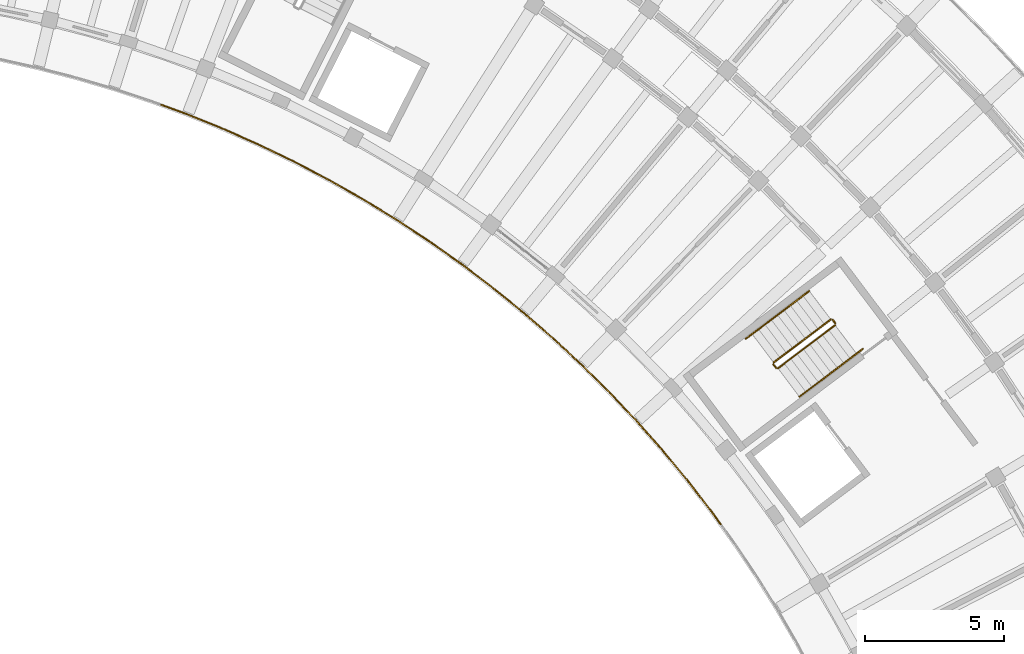
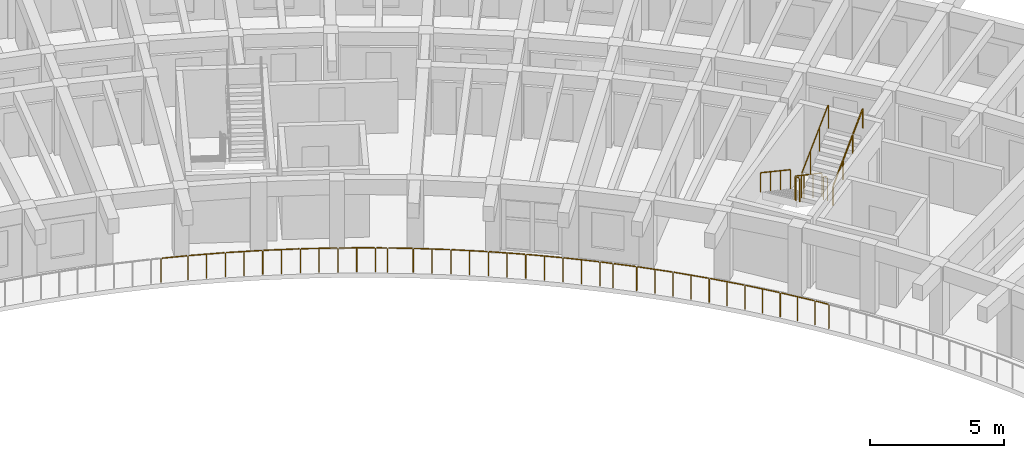
# One storey, part 78 of 81: 13 railings.
"""IFC4 building model written with IfcOpenShell, lengths in metres."""

from ifc_helpers import new_model, si_unit, direction, frame, origin, origin_2d, place, context, subcontext, project, spatial, circle, extrude, material, type_object, element, save


model = new_model("IFC4")

# Units and contexts
model_context = context("Model", 3, precision=1e-05, world=origin(), true_north=direction((0.0, 1.0)))
body_context = subcontext(model_context, "Body", "Model", "MODEL_VIEW")
ifc_project = project(units=[si_unit("LENGTHUNIT", "METRE"), si_unit("AREAUNIT", "SQUARE_METRE"), si_unit("VOLUMEUNIT", "CUBIC_METRE"), si_unit("PLANEANGLEUNIT", "RADIAN"), si_unit("MASSUNIT", "GRAM", prefix="KILO")], contexts=[model_context])

# Site, building, storey
site_placement = place(None, origin())
site = spatial("IfcSite", under=ifc_project, at=site_placement, CompositionType="ELEMENT")
building_placement = place(site_placement, origin())
building = spatial("IfcBuilding", under=site, at=building_placement, Name="Tanwirah Colonnade Gardens", CompositionType="ELEMENT")
storey_placement = place(building_placement, frame((0.0, 0.0, 8.840087890625)))
storey = spatial("IfcBuildingStorey", under=building, at=storey_placement, Name="L02", CompositionType="ELEMENT", Elevation=8.840087890625)

# Railings
ifc_material_1 = material(Name="Precast concrete C40/50", Category="concrete")
railing_type_1 = type_object("IfcRailingType", Name="BAL-EXT112", PredefinedType="BALUSTRADE", material=ifc_material_1)
railing_1_placement = place(storey_placement, frame((155.51513671875, 85.296142578125, 0.0)))
element("IfcRailing", 1, at=railing_1_placement, inside=storey, type_object=railing_type_1, Name="Block B L02 Balcony Ribbon Balustrade 3", PredefinedType="BALUSTRADE", context=body_context, shape_type="SweptSolid", body=[
    extrude(circle(Radius=0.02392578125, at=origin_2d()), frame((-0.018310546875, 0.025390625, 1.09619140625), z_axis=(-0.585664903779, 0.810553280471, 0.0), x_axis=(-0.810553280471, -0.585664903779, 0.0)), (0.0, 0.0, 1.0), 0.499755859375),
    extrude(circle(Radius=0.02392578125, at=origin_2d()), frame((-0.349853515625, 0.482666015625, 1.09619140625), z_axis=(-0.611783903817, 0.791024939576, 0.0), x_axis=(-0.791024939576, -0.611783903817, 0.0)), (0.0, 0.0, 1.0), 1.341796875),
    extrude(circle(Radius=0.02392578125, at=origin_2d()), frame((-1.211669921875, 1.594970703125, 1.09619140625), z_axis=(-0.637581943595, 0.770382544715, 0.0), x_axis=(-0.770382544715, -0.637581943595, 0.0)), (0.0, 0.0, 1.0), 1.342041015625),
    extrude(circle(Radius=0.02392578125, at=origin_2d()), frame((-2.109619140625, 2.67822265625, 1.09619140625), z_axis=(-0.662581384852, 0.748989925464, 0.0), x_axis=(-0.748989925464, -0.662581384852, 0.0)), (0.0, 0.0, 1.0), 1.341796875),
    extrude(circle(Radius=0.02392578125, at=origin_2d()), frame((-3.04248046875, 3.731201171875, 1.09619140625), z_axis=(-0.687011382404, 0.726646654466, 0.0), x_axis=(-0.726646654466, -0.687011382404, 0.0)), (0.0, 0.0, 1.0), 1.341796875),
    extrude(circle(Radius=0.02392578125, at=origin_2d()), frame((-4.009765625, 4.7529296875, 1.09619140625), z_axis=(-0.710488556831, 0.703708754111, 0.0), x_axis=(-0.703708754111, -0.710488556831, 0.0)), (0.0, 0.0, 1.0), 1.341796875),
    extrude(circle(Radius=0.02392578125, at=origin_2d()), frame((-5.01025390625, 5.7421875, 1.09619140625), z_axis=(-0.733450086442, 0.67974331236, 0.0), x_axis=(-0.67974331236, -0.733450086442, 0.0)), (0.0, 0.0, 1.0), 0.837646484375),
    extrude(circle(Radius=0.02099609375, at=origin_2d()), origin(), (0.0, 0.0, 1.0), 1.069091796875),
    extrude(circle(Radius=0.02099609375, at=origin_2d()), frame((-0.329345703125, 0.455810546875, 0.0)), (0.0, 0.0, 1.0), 1.069091796875),
    extrude(circle(Radius=0.02099609375, at=origin_2d()), frame((-0.76025390625, 1.013427734375, 0.0)), (0.0, 0.0, 1.0), 1.069091796875),
    extrude(circle(Radius=0.02099609375, at=origin_2d()), frame((-1.18994140625, 1.56884765625, 0.0)), (0.0, 0.0, 1.0), 1.069091796875),
    extrude(circle(Radius=0.02099609375, at=origin_2d()), frame((-1.639404296875, 2.11181640625, 0.0)), (0.0, 0.0, 1.0), 1.069091796875),
    extrude(circle(Radius=0.02099609375, at=origin_2d()), frame((-2.087158203125, 2.65283203125, 0.0)), (0.0, 0.0, 1.0), 1.069091796875),
    extrude(circle(Radius=0.02099609375, at=origin_2d()), frame((-2.55419921875, 3.1806640625, 0.0)), (0.0, 0.0, 1.0), 1.069091796875),
    extrude(circle(Radius=0.02099609375, at=origin_2d()), frame((-3.019287109375, 3.70654296875, 0.0)), (0.0, 0.0, 1.0), 1.069091796875),
    extrude(circle(Radius=0.02099609375, at=origin_2d()), frame((-3.50341796875, 4.21875, 0.0)), (0.0, 0.0, 1.0), 1.069091796875),
    extrude(circle(Radius=0.02099609375, at=origin_2d()), frame((-3.98583984375, 4.72900390625, 0.0)), (0.0, 0.0, 1.0), 1.069091796875),
    extrude(circle(Radius=0.02099609375, at=origin_2d()), frame((-4.486328125, 5.22509765625, 0.0)), (0.0, 0.0, 1.0), 1.069091796875),
    extrude(circle(Radius=0.02099609375, at=origin_2d()), frame((-4.9853515625, 5.71923828125, 0.0)), (0.0, 0.0, 1.0), 1.069091796875),
    extrude(circle(Radius=0.02099609375, at=origin_2d()), frame((-5.6474609375, 6.332763671875, 0.0)), (0.0, 0.0, 1.0), 1.069091796875),
])
railing_2_placement = place(storey_placement, frame((149.86767578125, 91.62890625, 0.0)))
element("IfcRailing", 2, at=railing_2_placement, inside=storey, type_object=railing_type_1, Name="Block B L02 Balcony Ribbon Balustrade 4", PredefinedType="BALUSTRADE", context=body_context, shape_type="SweptSolid", body=[
    extrude(circle(Radius=0.02392578125, at=origin_2d()), frame((-0.02294921875, 0.021240234375, 1.09619140625), z_axis=(-0.733224282582, 0.679986875926, 0.0), x_axis=(-0.679986875926, -0.733224282582, 0.0)), (0.0, 0.0, 1.0), 0.44189453125),
    extrude(circle(Radius=0.02392578125, at=origin_2d()), frame((-0.3955078125, 0.365234375, 1.09619140625), z_axis=(-0.755402192857, 0.655261418845, 0.0), x_axis=(-0.655261418845, -0.755402192857, 0.0)), (0.0, 0.0, 1.0), 1.341796875),
    extrude(circle(Radius=0.02392578125, at=origin_2d()), frame((-1.458740234375, 1.286376953125, 1.09619140625), z_axis=(-0.776491375378, 0.630127879056, 0.0), x_axis=(-0.630127879056, -0.776491375378, 0.0)), (0.0, 0.0, 1.0), 1.342041015625),
    extrude(circle(Radius=0.02392578125, at=origin_2d()), frame((-2.552001953125, 2.171875, 1.09619140625), z_axis=(-0.796818244666, 0.604219070344, 0.0), x_axis=(-0.604219070344, -0.796818244666, 0.0)), (0.0, 0.0, 1.0), 1.342041015625),
    extrude(circle(Radius=0.02392578125, at=origin_2d()), frame((-3.674072265625, 3.021240234375, 1.09619140625), z_axis=(-0.816321661452, 0.577597563226, 0.0), x_axis=(-0.577597563226, -0.816321661452, 0.0)), (0.0, 0.0, 1.0), 1.341552734375),
    extrude(circle(Radius=0.02392578125, at=origin_2d()), frame((-4.822998046875, 3.832763671875, 1.09619140625), z_axis=(-0.834927342507, 0.550360184547, 0.0), x_axis=(-0.550360184547, -0.834927342507, 0.0)), (0.0, 0.0, 1.0), 1.341796875),
    extrude(circle(Radius=0.02392578125, at=origin_2d()), frame((-5.998291015625, 4.606201171875, 1.09619140625), z_axis=(-0.852645184943, 0.522490371771, 0.0), x_axis=(-0.522490371771, -0.852645184943, 0.0)), (0.0, 0.0, 1.0), 0.895751953125),
    extrude(circle(Radius=0.02099609375, at=origin_2d()), origin(), (0.0, 0.0, 1.0), 1.069091796875),
    extrude(circle(Radius=0.02099609375, at=origin_2d()), frame((-0.369873046875, 0.343017578125, 0.0)), (0.0, 0.0, 1.0), 1.069091796875),
    extrude(circle(Radius=0.02099609375, at=origin_2d()), frame((-0.90234375, 0.8046875, 0.0)), (0.0, 0.0, 1.0), 1.069091796875),
    extrude(circle(Radius=0.02099609375, at=origin_2d()), frame((-1.4326171875, 1.264892578125, 0.0)), (0.0, 0.0, 1.0), 1.069091796875),
    extrude(circle(Radius=0.02099609375, at=origin_2d()), frame((-1.97998046875, 1.708984375, 0.0)), (0.0, 0.0, 1.0), 1.069091796875),
    extrude(circle(Radius=0.02099609375, at=origin_2d()), frame((-2.525146484375, 2.151611328125, 0.0)), (0.0, 0.0, 1.0), 1.069091796875),
    extrude(circle(Radius=0.02099609375, at=origin_2d()), frame((-3.086669921875, 2.577392578125, 0.0)), (0.0, 0.0, 1.0), 1.069091796875),
    extrude(circle(Radius=0.02099609375, at=origin_2d()), frame((-3.646240234375, 3.001708984375, 0.0)), (0.0, 0.0, 1.0), 1.069091796875),
    extrude(circle(Radius=0.02099609375, at=origin_2d()), frame((-4.2216796875, 3.40869140625, 0.0)), (0.0, 0.0, 1.0), 1.069091796875),
    extrude(circle(Radius=0.02099609375, at=origin_2d()), frame((-4.794677734375, 3.814208984375, 0.0)), (0.0, 0.0, 1.0), 1.069091796875),
    extrude(circle(Radius=0.02099609375, at=origin_2d()), frame((-5.38330078125, 4.2021484375, 0.0)), (0.0, 0.0, 1.0), 1.069091796875),
    extrude(circle(Radius=0.02099609375, at=origin_2d()), frame((-5.969482421875, 4.588623046875, 0.0)), (0.0, 0.0, 1.0), 1.069091796875),
    extrude(circle(Radius=0.02099609375, at=origin_2d()), frame((-6.788818359375, 5.090576171875, 0.0)), (0.0, 0.0, 1.0), 1.069091796875),
])
railing_3_placement = place(storey_placement, frame((143.078857421875, 96.719482421875, 0.0)))
element("IfcRailing", 3, at=railing_3_placement, inside=storey, type_object=railing_type_1, Name="Block B L02 Balcony Ribbon Balustrade 5", PredefinedType="BALUSTRADE", context=body_context, shape_type="SweptSolid", body=[
    extrude(circle(Radius=0.02392578125, at=origin_2d()), frame((-0.026611328125, 0.016357421875, 1.09619140625), z_axis=(-0.85257765709, 0.522600553608, 0.0), x_axis=(-0.522600553608, -0.85257765709, 0.0)), (0.0, 0.0, 1.0), 0.383544921875),
    extrude(circle(Radius=0.02392578125, at=origin_2d()), frame((-0.40966796875, 0.249755859375, 1.09619140625), z_axis=(-0.869342839865, 0.494209496848, 0.0), x_axis=(-0.494209496848, -0.869342839865, 0.0)), (0.0, 0.0, 1.0), 1.342041015625),
    extrude(circle(Radius=0.02392578125, at=origin_2d()), frame((-1.633544921875, 0.9443359375, 1.09619140625), z_axis=(-0.885204649416, 0.465201814972, 0.0), x_axis=(-0.465201814972, -0.885204649416, 0.0)), (0.0, 0.0, 1.0), 1.341796875),
    extrude(circle(Radius=0.02392578125, at=origin_2d()), frame((-2.87939453125, 1.597900390625, 1.09619140625), z_axis=(-0.900124070825, 0.43563362717, 0.0), x_axis=(-0.43563362717, -0.900124070825, 0.0)), (0.0, 0.0, 1.0), 1.341796875),
    extrude(circle(Radius=0.02392578125, at=origin_2d()), frame((-4.146240234375, 2.2099609375, 1.09619140625), z_axis=(-0.913997826773, 0.40571908096, 0.0), x_axis=(-0.40571908096, -0.913997826773, 0.0)), (0.0, 0.0, 1.0), 1.342041015625),
    extrude(circle(Radius=0.02392578125, at=origin_2d()), frame((-5.4326171875, 2.77978515625, 1.09619140625), z_axis=(-0.92683738147, 0.375463005247, 0.0), x_axis=(-0.375463005247, -0.92683738147, 0.0)), (0.0, 0.0, 1.0), 1.342041015625),
    extrude(circle(Radius=0.02392578125, at=origin_2d()), frame((-6.737060546875, 3.30712890625, 1.09619140625), z_axis=(-0.938687215578, 0.344769939686, 0.0), x_axis=(-0.344769939686, -0.938687215578, 0.0)), (0.0, 0.0, 1.0), 0.95361328125),
    extrude(circle(Radius=0.02099609375, at=origin_2d()), origin(), (0.0, 0.0, 1.0), 1.069091796875),
    extrude(circle(Radius=0.02099609375, at=origin_2d()), frame((-0.38037109375, 0.233154296875, 0.0)), (0.0, 0.0, 1.0), 1.069091796875),
    extrude(circle(Radius=0.02099609375, at=origin_2d()), frame((-0.9931640625, 0.58154296875, 0.0)), (0.0, 0.0, 1.0), 1.069091796875),
    extrude(circle(Radius=0.02099609375, at=origin_2d()), frame((-1.603515625, 0.928466796875, 0.0)), (0.0, 0.0, 1.0), 1.069091796875),
    extrude(circle(Radius=0.02099609375, at=origin_2d()), frame((-2.2275390625, 1.25634765625, 0.0)), (0.0, 0.0, 1.0), 1.069091796875),
    extrude(circle(Radius=0.02099609375, at=origin_2d()), frame((-2.84912109375, 1.5830078125, 0.0)), (0.0, 0.0, 1.0), 1.069091796875),
    extrude(circle(Radius=0.02099609375, at=origin_2d()), frame((-3.4833984375, 1.89013671875, 0.0)), (0.0, 0.0, 1.0), 1.069091796875),
    extrude(circle(Radius=0.02099609375, at=origin_2d()), frame((-4.115478515625, 2.196044921875, 0.0)), (0.0, 0.0, 1.0), 1.069091796875),
    extrude(circle(Radius=0.02099609375, at=origin_2d()), frame((-4.759521484375, 2.482177734375, 0.0)), (0.0, 0.0, 1.0), 1.069091796875),
    extrude(circle(Radius=0.02099609375, at=origin_2d()), frame((-5.4013671875, 2.76708984375, 0.0)), (0.0, 0.0, 1.0), 1.069091796875),
    extrude(circle(Radius=0.02099609375, at=origin_2d()), frame((-6.054443359375, 3.03173828125, 0.0)), (0.0, 0.0, 1.0), 1.069091796875),
    extrude(circle(Radius=0.02099609375, at=origin_2d()), frame((-6.705322265625, 3.29541015625, 0.0)), (0.0, 0.0, 1.0), 1.069091796875),
    extrude(circle(Radius=0.02099609375, at=origin_2d()), frame((-7.66162109375, 3.646728515625, 0.0)), (0.0, 0.0, 1.0), 1.069091796875),
])
ifc_material_2 = material(Name="Powder-coated galvanized steel", Category="steel")
railing_type_2 = type_object("IfcRailingType", Name="GRD-ST110", PredefinedType="GUARDRAIL", material=ifc_material_2)
railing_4_placement = place(storey_placement, frame((159.46435546875, 92.6533203125, 0.16796875)))
element("IfcRailing", 4, at=railing_4_placement, inside=storey, type_object=railing_type_2, Name="L02 ST-B1 stair guard 1", PredefinedType="GUARDRAIL", context=body_context, shape_type="SweptSolid", body=[
    extrude(circle(Radius=0.02392578125, at=origin_2d()), frame((-0.021484375, -0.01611328125, 1.092041015625), z_axis=(-0.687998426946, -0.518417885, 0.507839601678), x_axis=(0.601795686627, -0.798650080797, 0.0)), (0.0, 0.0, 1.0), 2.914794921875),
    extrude(circle(Radius=0.02099609375, at=origin_2d()), origin(), (0.0, 0.0, 1.0), 1.049072265625),
    extrude(circle(Radius=0.02099609375, at=origin_2d()), frame((-0.682861328125, -0.514404296875, 0.50390625)), (0.0, 0.0, 1.0), 1.049072265625),
    extrude(circle(Radius=0.02099609375, at=origin_2d()), frame((-1.365478515625, -1.029052734375, 1.008056640625)), (0.0, 0.0, 1.0), 1.049072265625),
    extrude(circle(Radius=0.02099609375, at=origin_2d()), frame((-2.04833984375, -1.54345703125, 1.511962890625)), (0.0, 0.0, 1.0), 1.049072265625),
])
railing_5_placement = place(storey_placement, frame((157.406005859375, 91.039794921875, 1.679931640625)))
element("IfcRailing", 5, at=railing_5_placement, inside=storey, type_object=railing_type_2, Name="L02 ST-B1 stair guard 2", PredefinedType="GUARDRAIL", context=body_context, shape_type="SweptSolid", body=[
    extrude(circle(Radius=0.02392578125, at=origin_2d()), frame((0.018798828125, -0.02490234375, 1.076171875), z_axis=(0.601948835455, -0.798534657667, 0.0), x_axis=(0.798534657667, 0.601948835455, 0.0)), (0.0, 0.0, 1.0), 0.09765625),
    extrude(circle(Radius=0.02099609375, at=origin_2d()), origin(), (0.0, 0.0, 1.0), 1.049072265625),
    extrude(circle(Radius=0.02099609375, at=origin_2d()), frame((0.096435546875, -0.1279296875, 0.0)), (0.0, 0.0, 1.0), 1.049072265625),
])
railing_6_placement = place(storey_placement, frame((157.572265625, 90.902099609375, 1.847900390625)))
element("IfcRailing", 6, at=railing_6_placement, inside=storey, type_object=railing_type_2, Name="L02 ST-B1 stair guard 3", PredefinedType="GUARDRAIL", context=body_context, shape_type="SweptSolid", body=[
    extrude(circle(Radius=0.02392578125, at=origin_2d()), frame((0.021484375, 0.01611328125, 1.092041015625), z_axis=(0.688012363654, 0.518448596756, 0.507789365762), x_axis=(-0.601810650199, 0.798638805285, 0.0)), (0.0, 0.0, 1.0), 2.9150390625),
    extrude(circle(Radius=0.02099609375, at=origin_2d()), origin(), (0.0, 0.0, 1.0), 1.049072265625),
    extrude(circle(Radius=0.02099609375, at=origin_2d()), frame((0.682861328125, 0.5146484375, 0.50390625)), (0.0, 0.0, 1.0), 1.049072265625),
    extrude(circle(Radius=0.02099609375, at=origin_2d()), frame((1.36572265625, 1.029052734375, 1.008056640625)), (0.0, 0.0, 1.0), 1.049072265625),
    extrude(circle(Radius=0.02099609375, at=origin_2d()), frame((2.048583984375, 1.543701171875, 1.511962890625)), (0.0, 0.0, 1.0), 1.049072265625),
])
railing_7_placement = place(storey_placement, frame((159.534423828125, 92.6435546875, 0.0)))
element("IfcRailing", 7, at=railing_7_placement, inside=storey, type_object=railing_type_2, Name="L02 ST-B1 stair guard 4", PredefinedType="GUARDRAIL", context=body_context, shape_type="SweptSolid", body=[
    extrude(circle(Radius=0.02392578125, at=origin_2d()), frame((0.018798828125, -0.02490234375, 1.076171875), z_axis=(0.601709070646, -0.798715339969, 0.0), x_axis=(0.798715339969, 0.601709070646, 0.0)), (0.0, 0.0, 1.0), 0.097412109375),
    extrude(circle(Radius=0.02099609375, at=origin_2d()), origin(), (0.0, 0.0, 1.0), 1.049072265625),
    extrude(circle(Radius=0.02099609375, at=origin_2d()), frame((0.09619140625, -0.127685546875, 0.0)), (0.0, 0.0, 1.0), 1.049072265625),
])
ifc_material_3 = material(Name="Brushed bronze stainless steel", Category="steel")
railing_type_3 = type_object("IfcRailingType", Name="HR-ST090", PredefinedType="HANDRAIL", material=ifc_material_3)
railing_8_placement = place(storey_placement, frame((158.694091796875, 93.67578125, 0.16796875)))
element("IfcRailing", 8, at=railing_8_placement, inside=storey, type_object=railing_type_3, Name="L02 ST-B1 stair handrail 1", PredefinedType="HANDRAIL", context=body_context, shape_type="SweptSolid", body=[
    extrude(circle(Radius=0.02392578125, at=origin_2d()), frame((-0.021484375, -0.01611328125, 0.891845703125), z_axis=(-0.686145346169, -0.517037451972, 0.51173903231), x_axis=(0.601807485929, -0.798641189696, 0.0)), (0.0, 0.0, 1.0), 1.04345703125),
    extrude(circle(Radius=0.02099609375, at=origin_2d()), origin(), (0.0, 0.0, 1.0), 0.848876953125),
    extrude(circle(Radius=0.02099609375, at=origin_2d()), frame((-0.7587890625, -0.57177734375, 0.56591796875)), (0.0, 0.0, 1.0), 0.848876953125),
])
railing_9_placement = place(storey_placement, frame((157.935302734375, 93.10400390625, 0.73388671875)))
element("IfcRailing", 9, at=railing_9_placement, inside=storey, type_object=railing_type_3, Name="L02 ST-B1 stair handrail 2", PredefinedType="HANDRAIL", context=body_context, shape_type="SweptSolid", body=[
    extrude(circle(Radius=0.02392578125, at=origin_2d()), frame((-0.021484375, -0.01611328125, 0.891845703125), z_axis=(-0.686028488458, -0.517115777267, 0.511816554955), x_axis=(0.601931007785, -0.798548096152, 0.0)), (0.0, 0.0, 1.0), 1.043212890625),
    extrude(circle(Radius=0.02099609375, at=origin_2d()), origin(), (0.0, 0.0, 1.0), 0.848876953125),
    extrude(circle(Radius=0.02099609375, at=origin_2d()), frame((-0.758544921875, -0.57177734375, 0.56591796875)), (0.0, 0.0, 1.0), 0.848876953125),
])
railing_10_placement = place(storey_placement, frame((157.1767578125, 92.5322265625, 1.2998046875)))
element("IfcRailing", 10, at=railing_10_placement, inside=storey, type_object=railing_type_3, Name="L02 ST-B1 stair handrail 3", PredefinedType="HANDRAIL", context=body_context, shape_type="SweptSolid", body=[
    extrude(circle(Radius=0.02392578125, at=origin_2d()), frame((-0.021484375, -0.01611328125, 0.891845703125), z_axis=(-0.686067825084, -0.516979036791, 0.511901958292), x_axis=(0.601807485929, -0.798641189696, 0.0)), (0.0, 0.0, 1.0), 1.04345703125),
    extrude(circle(Radius=0.02099609375, at=origin_2d()), origin(), (0.0, 0.0, 1.0), 0.848876953125),
    extrude(circle(Radius=0.02099609375, at=origin_2d()), frame((-0.7587890625, -0.57177734375, 0.566162109375)), (0.0, 0.0, 1.0), 0.848876953125),
])
railing_11_placement = place(storey_placement, frame((158.3427734375, 89.8798828125, 1.847900390625)))
element("IfcRailing", 11, at=railing_11_placement, inside=storey, type_object=railing_type_3, Name="L02 ST-B1 stair handrail 4", PredefinedType="HANDRAIL", context=body_context, shape_type="SweptSolid", body=[
    extrude(circle(Radius=0.02392578125, at=origin_2d()), frame((0.021484375, 0.01611328125, 0.891845703125), z_axis=(0.686028488458, 0.517115777267, 0.511816554955), x_axis=(-0.601931007785, 0.798548096152, 0.0)), (0.0, 0.0, 1.0), 1.043212890625),
    extrude(circle(Radius=0.02099609375, at=origin_2d()), origin(), (0.0, 0.0, 1.0), 0.848876953125),
    extrude(circle(Radius=0.02099609375, at=origin_2d()), frame((0.758544921875, 0.57177734375, 0.56591796875)), (0.0, 0.0, 1.0), 0.848876953125),
])
railing_12_placement = place(storey_placement, frame((159.101318359375, 90.45166015625, 2.413818359375)))
element("IfcRailing", 12, at=railing_12_placement, inside=storey, type_object=railing_type_3, Name="L02 ST-B1 stair handrail 5", PredefinedType="HANDRAIL", context=body_context, shape_type="SweptSolid", body=[
    extrude(circle(Radius=0.02392578125, at=origin_2d()), frame((0.021484375, 0.01611328125, 0.891845703125), z_axis=(0.686067825084, 0.516979036791, 0.511901958292), x_axis=(-0.601807485929, 0.798641189696, 0.0)), (0.0, 0.0, 1.0), 1.04345703125),
    extrude(circle(Radius=0.02099609375, at=origin_2d()), origin(), (0.0, 0.0, 1.0), 0.848876953125),
    extrude(circle(Radius=0.02099609375, at=origin_2d()), frame((0.7587890625, 0.57177734375, 0.566162109375)), (0.0, 0.0, 1.0), 0.848876953125),
])
railing_13_placement = place(storey_placement, frame((159.860107421875, 91.0234375, 2.97998046875)))
element("IfcRailing", 13, at=railing_13_placement, inside=storey, type_object=railing_type_3, Name="L02 ST-B1 stair handrail 6", PredefinedType="HANDRAIL", context=body_context, shape_type="SweptSolid", body=[
    extrude(circle(Radius=0.02392578125, at=origin_2d()), frame((0.021484375, 0.01611328125, 0.891845703125), z_axis=(0.686223662955, 0.51687567406, 0.51179744232), x_axis=(-0.601643549736, 0.798764695677, 0.0)), (0.0, 0.0, 1.0), 1.043212890625),
    extrude(circle(Radius=0.02099609375, at=origin_2d()), origin(), (0.0, 0.0, 1.0), 0.848876953125),
    extrude(circle(Radius=0.02099609375, at=origin_2d()), frame((0.7587890625, 0.571533203125, 0.56591796875)), (0.0, 0.0, 1.0), 0.848876953125),
])

save(model, "model.ifc")
